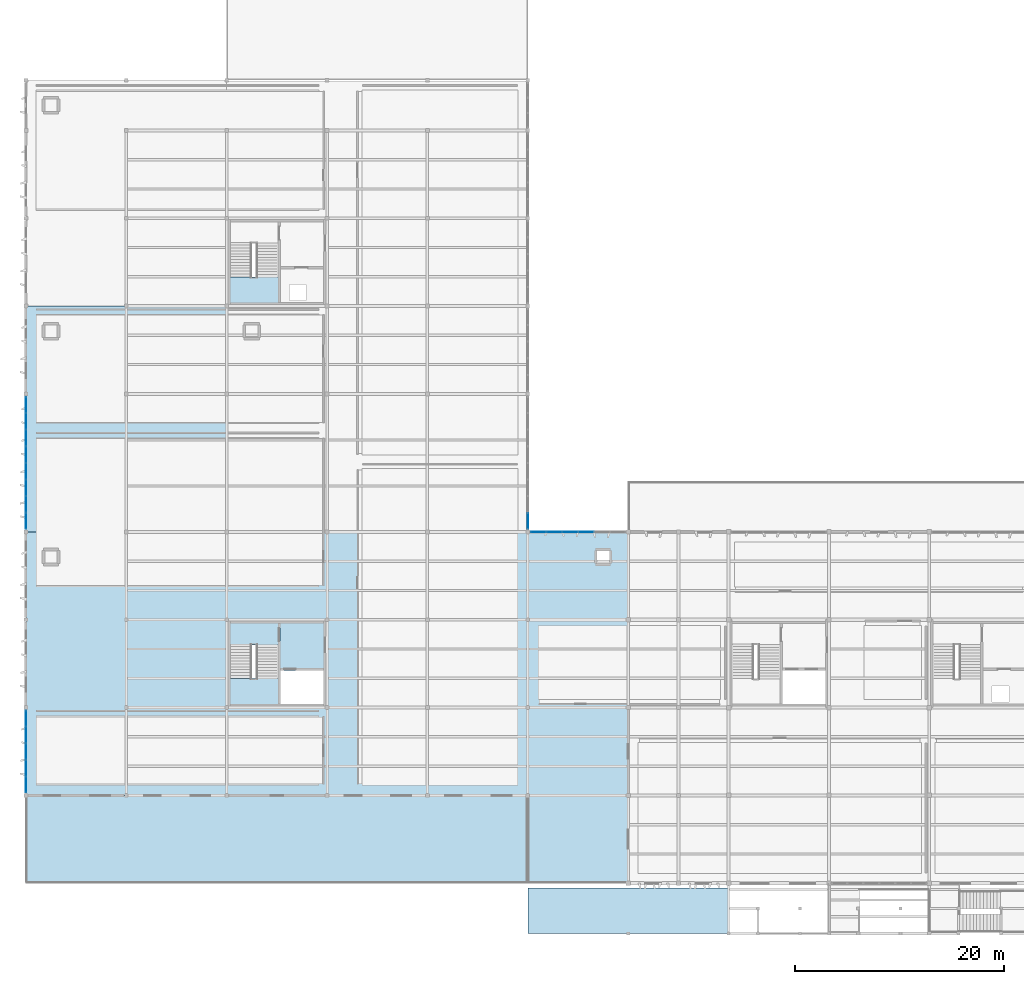
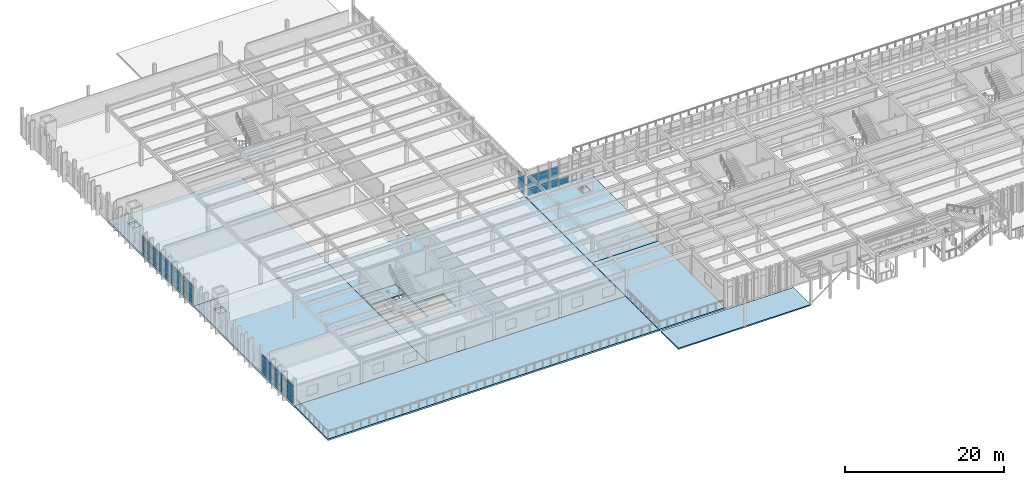
# One storey, part 29 of 61: 52 plates, 10 slabs, 6 elements without a shape of their own.
"""IFC4 building model written with IfcOpenShell, lengths in metres."""

from ifc_helpers import new_model, si_unit, direction, frame, origin, origin_2d, place, context, subcontext, project, spatial, polyline, rectangle, outline, extrude, material, layer, layer_set, type_object, element, aggregate, save


model = new_model("IFC4")

# Units and contexts
model_context = context("Model", 3, precision=1e-05, world=origin(), true_north=direction((0.0, 1.0)))
body_context = subcontext(model_context, "Body", "Model", "MODEL_VIEW")
ifc_project = project(units=[si_unit("LENGTHUNIT", "METRE"), si_unit("AREAUNIT", "SQUARE_METRE"), si_unit("VOLUMEUNIT", "CUBIC_METRE"), si_unit("PLANEANGLEUNIT", "RADIAN"), si_unit("MASSUNIT", "GRAM", prefix="KILO")], contexts=[model_context])

# Site, building, storey
site_placement = place(None, origin())
site = spatial("IfcSite", under=ifc_project, at=site_placement, CompositionType="ELEMENT")
building_placement = place(site_placement, origin())
building = spatial("IfcBuilding", under=site, at=building_placement, Name="Kolvemor Railside Polytechnic", CompositionType="ELEMENT")
storey_placement = place(building_placement, frame((0.0, 0.0, 10.199951171875)))
storey = spatial("IfcBuildingStorey", under=building, at=storey_placement, Name="L02", CompositionType="ELEMENT", Elevation=10.199951171875)

# Curtain wall, plates
ifc_material_1 = material(Name="Anodised marine aluminium and laminated low-E glass", Category="aluminium")
ifc_layer_1 = layer(ifc_material_1, 0.179931640625, Name="CW-UNIT-STD")
ifc_layer_set_1 = layer_set([ifc_layer_1], Name="Anodised marine aluminium and laminated low-E glass")
curtain_wall_type = type_object("IfcCurtainWallType", Name="CW-UNIT-STD", PredefinedType="USERDEFINED", material=ifc_layer_set_1)
curtain_wall_1_placement = place(storey_placement, origin())
curtain_wall_1 = element("IfcCurtainWall", 1, at=curtain_wall_1_placement, inside=storey, type_object=curtain_wall_type, Name="Curtain Wall L02-048", ObjectType="UNITISED CURTAIN WALL", PredefinedType="USERDEFINED")
ifc_material_2 = material(Name="Hurricane-laminated solar-control low-E glass", Category="glass")
ifc_layer_2 = layer(ifc_material_2, 0.02587890625, Name="CWP-GLZ-03")
ifc_layer_set_2 = layer_set([ifc_layer_2], Name="Hurricane-laminated solar-control low-E glass")
plate_type_1 = type_object("IfcPlateType", Name="CWP-GLZ-03", PredefinedType="CURTAIN_PANEL", material=ifc_layer_set_2)
plate_1_placement = place(storey_placement, frame((0.0, 20.5517578125, 0.06494140625), z_axis=(0.0, 0.0, 1.0), x_axis=(0.0, -1.0, 0.0)))
plate_1 = element("IfcPlate", 2, at=plate_1_placement, type_object=plate_type_1, Name="CW-STD panel 1.1", PredefinedType="CURTAIN_PANEL", context=body_context, shape_type="SweptSolid", body=[
    extrude(rectangle(XDim=1.486572265625, YDim=0.02587890625, at=origin_2d()), origin(), (0.0, 0.0, 1.0), 0.802490234375),
])
plate_2_placement = place(storey_placement, frame((0.0, 20.5517578125, 0.9326171875), z_axis=(0.0, 0.0, 1.0), x_axis=(0.0, -1.0, 0.0)))
plate_2 = element("IfcPlate", 3, at=plate_2_placement, type_object=plate_type_1, Name="CW-STD panel 1.2", PredefinedType="CURTAIN_PANEL", context=body_context, shape_type="SweptSolid", body=[
    extrude(rectangle(XDim=1.486572265625, YDim=0.02587890625, at=origin_2d()), origin(), (0.0, 0.0, 1.0), 1.534912109375),
])
plate_3_placement = place(storey_placement, frame((0.0, 20.5517578125, 2.53271484375), z_axis=(0.0, 0.0, 1.0), x_axis=(0.0, -1.0, 0.0)))
plate_3 = element("IfcPlate", 4, at=plate_3_placement, type_object=plate_type_1, Name="CW-STD panel 1.3", PredefinedType="CURTAIN_PANEL", context=body_context, shape_type="SweptSolid", body=[
    extrude(rectangle(XDim=1.486572265625, YDim=0.02587890625, at=origin_2d()), origin(), (0.0, 0.0, 1.0), 0.452392578125),
])
plate_4_placement = place(storey_placement, frame((0.0, 18.98388671875, 0.06494140625), z_axis=(0.0, 0.0, 1.0), x_axis=(0.0, -1.0, 0.0)))
plate_4 = element("IfcPlate", 5, at=plate_4_placement, type_object=plate_type_1, Name="CW-STD panel 2.1", PredefinedType="CURTAIN_PANEL", context=body_context, shape_type="SweptSolid", body=[
    extrude(rectangle(XDim=1.51904296875, YDim=0.02587890625, at=origin_2d()), origin(), (0.0, 0.0, 1.0), 0.802490234375),
])
plate_5_placement = place(storey_placement, frame((0.0, 18.98388671875, 0.9326171875), z_axis=(0.0, 0.0, 1.0), x_axis=(0.0, -1.0, 0.0)))
plate_5 = element("IfcPlate", 6, at=plate_5_placement, type_object=plate_type_1, Name="CW-STD panel 2.2", PredefinedType="CURTAIN_PANEL", context=body_context, shape_type="SweptSolid", body=[
    extrude(rectangle(XDim=1.51904296875, YDim=0.02587890625, at=origin_2d()), origin(), (0.0, 0.0, 1.0), 1.534912109375),
])
plate_6_placement = place(storey_placement, frame((0.0, 18.98388671875, 2.53271484375), z_axis=(0.0, 0.0, 1.0), x_axis=(0.0, -1.0, 0.0)))
plate_6 = element("IfcPlate", 7, at=plate_6_placement, type_object=plate_type_1, Name="CW-STD panel 2.3", PredefinedType="CURTAIN_PANEL", context=body_context, shape_type="SweptSolid", body=[
    extrude(rectangle(XDim=1.51904296875, YDim=0.02587890625, at=origin_2d()), origin(), (0.0, 0.0, 1.0), 0.452392578125),
])
plate_7_placement = place(storey_placement, frame((0.0, 17.39990234375, 0.06494140625), z_axis=(0.0, 0.0, 1.0), x_axis=(0.0, -1.0, 0.0)))
plate_7 = element("IfcPlate", 8, at=plate_7_placement, type_object=plate_type_1, Name="CW-STD panel 3.1", PredefinedType="CURTAIN_PANEL", context=body_context, shape_type="SweptSolid", body=[
    extrude(rectangle(XDim=1.51904296875, YDim=0.02587890625, at=origin_2d()), origin(), (0.0, 0.0, 1.0), 0.802490234375),
])
plate_8_placement = place(storey_placement, frame((0.0, 17.39990234375, 0.9326171875), z_axis=(0.0, 0.0, 1.0), x_axis=(0.0, -1.0, 0.0)))
plate_8 = element("IfcPlate", 9, at=plate_8_placement, type_object=plate_type_1, Name="CW-STD panel 3.2", PredefinedType="CURTAIN_PANEL", context=body_context, shape_type="SweptSolid", body=[
    extrude(rectangle(XDim=1.51904296875, YDim=0.02587890625, at=origin_2d()), origin(), (0.0, 0.0, 1.0), 1.534912109375),
])
plate_9_placement = place(storey_placement, frame((0.0, 17.39990234375, 2.53271484375), z_axis=(0.0, 0.0, 1.0), x_axis=(0.0, -1.0, 0.0)))
plate_9 = element("IfcPlate", 10, at=plate_9_placement, type_object=plate_type_1, Name="CW-STD panel 3.3", PredefinedType="CURTAIN_PANEL", context=body_context, shape_type="SweptSolid", body=[
    extrude(rectangle(XDim=1.51904296875, YDim=0.02587890625, at=origin_2d()), origin(), (0.0, 0.0, 1.0), 0.452392578125),
])
plate_10_placement = place(storey_placement, frame((0.0, 15.81591796875, 0.06494140625), z_axis=(0.0, 0.0, 1.0), x_axis=(0.0, -1.0, 0.0)))
plate_10 = element("IfcPlate", 11, at=plate_10_placement, type_object=plate_type_1, Name="CW-STD panel 4.1", PredefinedType="CURTAIN_PANEL", context=body_context, shape_type="SweptSolid", body=[
    extrude(rectangle(XDim=1.51904296875, YDim=0.02587890625, at=origin_2d()), origin(), (0.0, 0.0, 1.0), 0.802490234375),
])
plate_11_placement = place(storey_placement, frame((0.0, 15.81591796875, 0.9326171875), z_axis=(0.0, 0.0, 1.0), x_axis=(0.0, -1.0, 0.0)))
plate_11 = element("IfcPlate", 12, at=plate_11_placement, type_object=plate_type_1, Name="CW-STD panel 4.2", PredefinedType="CURTAIN_PANEL", context=body_context, shape_type="SweptSolid", body=[
    extrude(rectangle(XDim=1.51904296875, YDim=0.02587890625, at=origin_2d()), origin(), (0.0, 0.0, 1.0), 1.534912109375),
])
plate_12_placement = place(storey_placement, frame((0.0, 15.81591796875, 2.53271484375), z_axis=(0.0, 0.0, 1.0), x_axis=(0.0, -1.0, 0.0)))
plate_12 = element("IfcPlate", 13, at=plate_12_placement, type_object=plate_type_1, Name="CW-STD panel 4.3", PredefinedType="CURTAIN_PANEL", context=body_context, shape_type="SweptSolid", body=[
    extrude(rectangle(XDim=1.51904296875, YDim=0.02587890625, at=origin_2d()), origin(), (0.0, 0.0, 1.0), 0.452392578125),
])
plate_13_placement = place(storey_placement, frame((0.0, 14.248291015625, 0.06494140625), z_axis=(0.0, 0.0, 1.0), x_axis=(0.0, -1.0, 0.0)))
plate_13 = element("IfcPlate", 14, at=plate_13_placement, type_object=plate_type_1, Name="CW-STD panel 5.1", PredefinedType="CURTAIN_PANEL", context=body_context, shape_type="SweptSolid", body=[
    extrude(rectangle(XDim=1.486572265625, YDim=0.02587890625, at=origin_2d()), origin(), (0.0, 0.0, 1.0), 0.802490234375),
])
plate_14_placement = place(storey_placement, frame((0.0, 14.248291015625, 0.9326171875), z_axis=(0.0, 0.0, 1.0), x_axis=(0.0, -1.0, 0.0)))
plate_14 = element("IfcPlate", 15, at=plate_14_placement, type_object=plate_type_1, Name="CW-STD panel 5.2", PredefinedType="CURTAIN_PANEL", context=body_context, shape_type="SweptSolid", body=[
    extrude(rectangle(XDim=1.486572265625, YDim=0.02587890625, at=origin_2d()), origin(), (0.0, 0.0, 1.0), 1.534912109375),
])
plate_15_placement = place(storey_placement, frame((0.0, 14.248291015625, 2.53271484375), z_axis=(0.0, 0.0, 1.0), x_axis=(0.0, -1.0, 0.0)))
plate_15 = element("IfcPlate", 16, at=plate_15_placement, type_object=plate_type_1, Name="CW-STD panel 5.3", PredefinedType="CURTAIN_PANEL", context=body_context, shape_type="SweptSolid", body=[
    extrude(rectangle(XDim=1.486572265625, YDim=0.02587890625, at=origin_2d()), origin(), (0.0, 0.0, 1.0), 0.452392578125),
])
aggregate(curtain_wall_1, [plate_1, plate_2, plate_3, plate_4, plate_5, plate_6, plate_7, plate_8, plate_9, plate_10, plate_11, plate_12, plate_13, plate_14, plate_15])

curtain_wall_2_placement = place(storey_placement, origin())
curtain_wall_2 = element("IfcCurtainWall", 17, at=curtain_wall_2_placement, inside=storey, type_object=curtain_wall_type, Name="Curtain Wall L02-120", ObjectType="UNITISED CURTAIN WALL", PredefinedType="USERDEFINED")
ifc_material_3 = material(Name="Hurricane-laminated solar-control low-E glass", Category="glass")
ifc_layer_3 = layer(ifc_material_3, 0.028076171875, Name="CWP-GLZ-04")
ifc_layer_set_3 = layer_set([ifc_layer_3], Name="Hurricane-laminated solar-control low-E glass")
plate_type_2 = type_object("IfcPlateType", Name="CWP-GLZ-04", PredefinedType="CURTAIN_PANEL", material=ifc_layer_set_3)
plate_16_placement = place(storey_placement, frame((53.56005859375, 38.39990234375, 0.06494140625), z_axis=(0.0, 0.0, 1.0), x_axis=(-1.0, 0.0, 0.0)))
plate_16 = element("IfcPlate", 18, at=plate_16_placement, type_object=plate_type_2, Name="CW-STD panel 3.1", PredefinedType="CURTAIN_PANEL", context=body_context, shape_type="SweptSolid", body=[
    extrude(rectangle(XDim=1.455078125, YDim=0.028076171875, at=origin_2d()), origin(), (0.0, 0.0, 1.0), 0.802490234375),
])
plate_17_placement = place(storey_placement, frame((52.0400390625, 38.39990234375, 0.06494140625), z_axis=(0.0, 0.0, 1.0), x_axis=(-1.0, 0.0, 0.0)))
plate_17 = element("IfcPlate", 19, at=plate_17_placement, type_object=plate_type_2, Name="CW-STD panel 4.1", PredefinedType="CURTAIN_PANEL", context=body_context, shape_type="SweptSolid", body=[
    extrude(rectangle(XDim=1.455078125, YDim=0.028076171875, at=origin_2d()), origin(), (0.0, 0.0, 1.0), 0.802490234375),
])
plate_18_placement = place(storey_placement, frame((52.0400390625, 38.39990234375, 0.9326171875), z_axis=(0.0, 0.0, 1.0), x_axis=(-1.0, 0.0, 0.0)))
plate_18 = element("IfcPlate", 20, at=plate_18_placement, type_object=plate_type_2, Name="CW-STD panel 4.2", PredefinedType="CURTAIN_PANEL", context=body_context, shape_type="SweptSolid", body=[
    extrude(rectangle(XDim=1.455078125, YDim=0.028076171875, at=origin_2d()), origin(), (0.0, 0.0, 1.0), 1.534912109375),
])
plate_19_placement = place(storey_placement, frame((52.0400390625, 38.39990234375, 2.53271484375), z_axis=(0.0, 0.0, 1.0), x_axis=(-1.0, 0.0, 0.0)))
plate_19 = element("IfcPlate", 21, at=plate_19_placement, type_object=plate_type_2, Name="CW-STD panel 4.3", PredefinedType="CURTAIN_PANEL", context=body_context, shape_type="SweptSolid", body=[
    extrude(rectangle(XDim=1.455078125, YDim=0.028076171875, at=origin_2d()), origin(), (0.0, 0.0, 1.0), 0.452392578125),
])
plate_20_placement = place(storey_placement, frame((50.52001953125, 38.39990234375, 0.06494140625), z_axis=(0.0, 0.0, 1.0), x_axis=(-1.0, 0.0, 0.0)))
plate_20 = element("IfcPlate", 22, at=plate_20_placement, type_object=plate_type_2, Name="CW-STD panel 5.1", PredefinedType="CURTAIN_PANEL", context=body_context, shape_type="SweptSolid", body=[
    extrude(rectangle(XDim=1.455078125, YDim=0.028076171875, at=origin_2d()), origin(), (0.0, 0.0, 1.0), 0.802490234375),
])
plate_21_placement = place(storey_placement, frame((50.52001953125, 38.39990234375, 0.9326171875), z_axis=(0.0, 0.0, 1.0), x_axis=(-1.0, 0.0, 0.0)))
plate_21 = element("IfcPlate", 23, at=plate_21_placement, type_object=plate_type_2, Name="CW-STD panel 5.2", PredefinedType="CURTAIN_PANEL", context=body_context, shape_type="SweptSolid", body=[
    extrude(rectangle(XDim=1.455078125, YDim=0.028076171875, at=origin_2d()), origin(), (0.0, 0.0, 1.0), 1.534912109375),
])
plate_22_placement = place(storey_placement, frame((50.52001953125, 38.39990234375, 2.53271484375), z_axis=(0.0, 0.0, 1.0), x_axis=(-1.0, 0.0, 0.0)))
plate_22 = element("IfcPlate", 24, at=plate_22_placement, type_object=plate_type_2, Name="CW-STD panel 5.3", PredefinedType="CURTAIN_PANEL", context=body_context, shape_type="SweptSolid", body=[
    extrude(rectangle(XDim=1.455078125, YDim=0.028076171875, at=origin_2d()), origin(), (0.0, 0.0, 1.0), 0.452392578125),
])
plate_23_placement = place(storey_placement, frame((49.016357421875, 38.39990234375, 0.06494140625), z_axis=(0.0, 0.0, 1.0), x_axis=(-1.0, 0.0, 0.0)))
plate_23 = element("IfcPlate", 25, at=plate_23_placement, type_object=plate_type_2, Name="CW-STD panel 6.1", PredefinedType="CURTAIN_PANEL", context=body_context, shape_type="SweptSolid", body=[
    extrude(rectangle(XDim=1.422607421875, YDim=0.028076171875, at=origin_2d()), origin(), (0.0, 0.0, 1.0), 0.802490234375),
])
plate_24_placement = place(storey_placement, frame((49.016357421875, 38.39990234375, 0.9326171875), z_axis=(0.0, 0.0, 1.0), x_axis=(-1.0, 0.0, 0.0)))
plate_24 = element("IfcPlate", 26, at=plate_24_placement, type_object=plate_type_2, Name="CW-STD panel 6.2", PredefinedType="CURTAIN_PANEL", context=body_context, shape_type="SweptSolid", body=[
    extrude(rectangle(XDim=1.422607421875, YDim=0.028076171875, at=origin_2d()), origin(), (0.0, 0.0, 1.0), 1.534912109375),
])
plate_25_placement = place(storey_placement, frame((49.016357421875, 38.39990234375, 2.53271484375), z_axis=(0.0, 0.0, 1.0), x_axis=(-1.0, 0.0, 0.0)))
plate_25 = element("IfcPlate", 27, at=plate_25_placement, type_object=plate_type_2, Name="CW-STD panel 6.3", PredefinedType="CURTAIN_PANEL", context=body_context, shape_type="SweptSolid", body=[
    extrude(rectangle(XDim=1.422607421875, YDim=0.028076171875, at=origin_2d()), origin(), (0.0, 0.0, 1.0), 0.452392578125),
])
aggregate(curtain_wall_2, [plate_16, plate_17, plate_18, plate_19, plate_20, plate_21, plate_22, plate_23, plate_24, plate_25])

curtain_wall_3_placement = place(storey_placement, origin())
curtain_wall_3 = element("IfcCurtainWall", 28, at=curtain_wall_3_placement, inside=storey, type_object=curtain_wall_type, Name="Curtain Wall L02-054", ObjectType="UNITISED CURTAIN WALL", PredefinedType="USERDEFINED")
ifc_material_4 = material(Name="Hurricane-laminated solar-control low-E glass", Category="glass")
ifc_layer_4 = layer(ifc_material_4, 0.031982421875, Name="CWP-GLZ-06")
ifc_layer_set_4 = layer_set([ifc_layer_4], Name="Hurricane-laminated solar-control low-E glass")
plate_type_3 = type_object("IfcPlateType", Name="CWP-GLZ-06", PredefinedType="CURTAIN_PANEL", material=ifc_layer_set_4)
plate_26_placement = place(storey_placement, frame((0.0, 50.548828125, 0.06494140625), z_axis=(0.0, 0.0, 1.0), x_axis=(0.0, -1.0, 0.0)))
plate_26 = element("IfcPlate", 29, at=plate_26_placement, type_object=plate_type_3, Name="CW-STD panel 1.1", PredefinedType="CURTAIN_PANEL", context=body_context, shape_type="SweptSolid", body=[
    extrude(rectangle(XDim=1.492431640625, YDim=0.031982421875, at=origin_2d()), origin(), (0.0, 0.0, 1.0), 0.802490234375),
])
plate_27_placement = place(storey_placement, frame((0.0, 50.548828125, 0.9326171875), z_axis=(0.0, 0.0, 1.0), x_axis=(0.0, -1.0, 0.0)))
plate_27 = element("IfcPlate", 30, at=plate_27_placement, type_object=plate_type_3, Name="CW-STD panel 1.2", PredefinedType="CURTAIN_PANEL", context=body_context, shape_type="SweptSolid", body=[
    extrude(rectangle(XDim=1.492431640625, YDim=0.031982421875, at=origin_2d()), origin(), (0.0, 0.0, 1.0), 1.534912109375),
])
plate_28_placement = place(storey_placement, frame((0.0, 50.548828125, 2.53271484375), z_axis=(0.0, 0.0, 1.0), x_axis=(0.0, -1.0, 0.0)))
plate_28 = element("IfcPlate", 31, at=plate_28_placement, type_object=plate_type_3, Name="CW-STD panel 1.3", PredefinedType="CURTAIN_PANEL", context=body_context, shape_type="SweptSolid", body=[
    extrude(rectangle(XDim=1.492431640625, YDim=0.031982421875, at=origin_2d()), origin(), (0.0, 0.0, 1.0), 0.452392578125),
])
plate_29_placement = place(storey_placement, frame((0.0, 48.97509765625, 0.06494140625), z_axis=(0.0, 0.0, 1.0), x_axis=(0.0, -1.0, 0.0)))
plate_29 = element("IfcPlate", 32, at=plate_29_placement, type_object=plate_type_3, Name="CW-STD panel 2.1", PredefinedType="CURTAIN_PANEL", context=body_context, shape_type="SweptSolid", body=[
    extrude(rectangle(XDim=1.52490234375, YDim=0.031982421875, at=origin_2d()), origin(), (0.0, 0.0, 1.0), 0.802490234375),
])
plate_30_placement = place(storey_placement, frame((0.0, 48.97509765625, 0.9326171875), z_axis=(0.0, 0.0, 1.0), x_axis=(0.0, -1.0, 0.0)))
plate_30 = element("IfcPlate", 33, at=plate_30_placement, type_object=plate_type_3, Name="CW-STD panel 2.2", PredefinedType="CURTAIN_PANEL", context=body_context, shape_type="SweptSolid", body=[
    extrude(rectangle(XDim=1.52490234375, YDim=0.031982421875, at=origin_2d()), origin(), (0.0, 0.0, 1.0), 1.534912109375),
])
plate_31_placement = place(storey_placement, frame((0.0, 48.97509765625, 2.53271484375), z_axis=(0.0, 0.0, 1.0), x_axis=(0.0, -1.0, 0.0)))
plate_31 = element("IfcPlate", 34, at=plate_31_placement, type_object=plate_type_3, Name="CW-STD panel 2.3", PredefinedType="CURTAIN_PANEL", context=body_context, shape_type="SweptSolid", body=[
    extrude(rectangle(XDim=1.52490234375, YDim=0.031982421875, at=origin_2d()), origin(), (0.0, 0.0, 1.0), 0.452392578125),
])
plate_32_placement = place(storey_placement, frame((0.0, 47.385009765625, 0.06494140625), z_axis=(0.0, 0.0, 1.0), x_axis=(0.0, -1.0, 0.0)))
plate_32 = element("IfcPlate", 35, at=plate_32_placement, type_object=plate_type_3, Name="CW-STD panel 3.1", PredefinedType="CURTAIN_PANEL", context=body_context, shape_type="SweptSolid", body=[
    extrude(rectangle(XDim=1.52490234375, YDim=0.031982421875, at=origin_2d()), origin(), (0.0, 0.0, 1.0), 0.802490234375),
])
plate_33_placement = place(storey_placement, frame((0.0, 47.385009765625, 0.9326171875), z_axis=(0.0, 0.0, 1.0), x_axis=(0.0, -1.0, 0.0)))
plate_33 = element("IfcPlate", 36, at=plate_33_placement, type_object=plate_type_3, Name="CW-STD panel 3.2", PredefinedType="CURTAIN_PANEL", context=body_context, shape_type="SweptSolid", body=[
    extrude(rectangle(XDim=1.52490234375, YDim=0.031982421875, at=origin_2d()), origin(), (0.0, 0.0, 1.0), 1.534912109375),
])
plate_34_placement = place(storey_placement, frame((0.0, 47.385009765625, 2.53271484375), z_axis=(0.0, 0.0, 1.0), x_axis=(0.0, -1.0, 0.0)))
plate_34 = element("IfcPlate", 37, at=plate_34_placement, type_object=plate_type_3, Name="CW-STD panel 3.3", PredefinedType="CURTAIN_PANEL", context=body_context, shape_type="SweptSolid", body=[
    extrude(rectangle(XDim=1.52490234375, YDim=0.031982421875, at=origin_2d()), origin(), (0.0, 0.0, 1.0), 0.452392578125),
])
plate_35_placement = place(storey_placement, frame((0.0, 45.794921875, 0.06494140625), z_axis=(0.0, 0.0, 1.0), x_axis=(0.0, -1.0, 0.0)))
plate_35 = element("IfcPlate", 38, at=plate_35_placement, type_object=plate_type_3, Name="CW-STD panel 4.1", PredefinedType="CURTAIN_PANEL", context=body_context, shape_type="SweptSolid", body=[
    extrude(rectangle(XDim=1.52490234375, YDim=0.031982421875, at=origin_2d()), origin(), (0.0, 0.0, 1.0), 0.802490234375),
])
plate_36_placement = place(storey_placement, frame((0.0, 45.794921875, 0.9326171875), z_axis=(0.0, 0.0, 1.0), x_axis=(0.0, -1.0, 0.0)))
plate_36 = element("IfcPlate", 39, at=plate_36_placement, type_object=plate_type_3, Name="CW-STD panel 4.2", PredefinedType="CURTAIN_PANEL", context=body_context, shape_type="SweptSolid", body=[
    extrude(rectangle(XDim=1.52490234375, YDim=0.031982421875, at=origin_2d()), origin(), (0.0, 0.0, 1.0), 1.534912109375),
])
plate_37_placement = place(storey_placement, frame((0.0, 45.794921875, 2.53271484375), z_axis=(0.0, 0.0, 1.0), x_axis=(0.0, -1.0, 0.0)))
plate_37 = element("IfcPlate", 40, at=plate_37_placement, type_object=plate_type_3, Name="CW-STD panel 4.3", PredefinedType="CURTAIN_PANEL", context=body_context, shape_type="SweptSolid", body=[
    extrude(rectangle(XDim=1.52490234375, YDim=0.031982421875, at=origin_2d()), origin(), (0.0, 0.0, 1.0), 0.452392578125),
])
plate_38_placement = place(storey_placement, frame((0.0, 44.205078125, 0.06494140625), z_axis=(0.0, 0.0, 1.0), x_axis=(0.0, -1.0, 0.0)))
plate_38 = element("IfcPlate", 41, at=plate_38_placement, type_object=plate_type_3, Name="CW-STD panel 5.1", PredefinedType="CURTAIN_PANEL", context=body_context, shape_type="SweptSolid", body=[
    extrude(rectangle(XDim=1.52490234375, YDim=0.031982421875, at=origin_2d()), origin(), (0.0, 0.0, 1.0), 0.802490234375),
])
plate_39_placement = place(storey_placement, frame((0.0, 44.205078125, 0.9326171875), z_axis=(0.0, 0.0, 1.0), x_axis=(0.0, -1.0, 0.0)))
plate_39 = element("IfcPlate", 42, at=plate_39_placement, type_object=plate_type_3, Name="CW-STD panel 5.2", PredefinedType="CURTAIN_PANEL", context=body_context, shape_type="SweptSolid", body=[
    extrude(rectangle(XDim=1.52490234375, YDim=0.031982421875, at=origin_2d()), origin(), (0.0, 0.0, 1.0), 1.534912109375),
])
plate_40_placement = place(storey_placement, frame((0.0, 44.205078125, 2.53271484375), z_axis=(0.0, 0.0, 1.0), x_axis=(0.0, -1.0, 0.0)))
plate_40 = element("IfcPlate", 43, at=plate_40_placement, type_object=plate_type_3, Name="CW-STD panel 5.3", PredefinedType="CURTAIN_PANEL", context=body_context, shape_type="SweptSolid", body=[
    extrude(rectangle(XDim=1.52490234375, YDim=0.031982421875, at=origin_2d()), origin(), (0.0, 0.0, 1.0), 0.452392578125),
])
plate_41_placement = place(storey_placement, frame((0.0, 42.614990234375, 0.06494140625), z_axis=(0.0, 0.0, 1.0), x_axis=(0.0, -1.0, 0.0)))
plate_41 = element("IfcPlate", 44, at=plate_41_placement, type_object=plate_type_3, Name="CW-STD panel 6.1", PredefinedType="CURTAIN_PANEL", context=body_context, shape_type="SweptSolid", body=[
    extrude(rectangle(XDim=1.52490234375, YDim=0.031982421875, at=origin_2d()), origin(), (0.0, 0.0, 1.0), 0.802490234375),
])
plate_42_placement = place(storey_placement, frame((0.0, 42.614990234375, 0.9326171875), z_axis=(0.0, 0.0, 1.0), x_axis=(0.0, -1.0, 0.0)))
plate_42 = element("IfcPlate", 45, at=plate_42_placement, type_object=plate_type_3, Name="CW-STD panel 6.2", PredefinedType="CURTAIN_PANEL", context=body_context, shape_type="SweptSolid", body=[
    extrude(rectangle(XDim=1.52490234375, YDim=0.031982421875, at=origin_2d()), origin(), (0.0, 0.0, 1.0), 1.534912109375),
])
plate_43_placement = place(storey_placement, frame((0.0, 42.614990234375, 2.53271484375), z_axis=(0.0, 0.0, 1.0), x_axis=(0.0, -1.0, 0.0)))
plate_43 = element("IfcPlate", 46, at=plate_43_placement, type_object=plate_type_3, Name="CW-STD panel 6.3", PredefinedType="CURTAIN_PANEL", context=body_context, shape_type="SweptSolid", body=[
    extrude(rectangle(XDim=1.52490234375, YDim=0.031982421875, at=origin_2d()), origin(), (0.0, 0.0, 1.0), 0.452392578125),
])
plate_44_placement = place(storey_placement, frame((0.0, 41.02490234375, 0.06494140625), z_axis=(0.0, 0.0, 1.0), x_axis=(0.0, -1.0, 0.0)))
plate_44 = element("IfcPlate", 47, at=plate_44_placement, type_object=plate_type_3, Name="CW-STD panel 7.1", PredefinedType="CURTAIN_PANEL", context=body_context, shape_type="SweptSolid", body=[
    extrude(rectangle(XDim=1.52490234375, YDim=0.031982421875, at=origin_2d()), origin(), (0.0, 0.0, 1.0), 0.802490234375),
])
plate_45_placement = place(storey_placement, frame((0.0, 41.02490234375, 0.9326171875), z_axis=(0.0, 0.0, 1.0), x_axis=(0.0, -1.0, 0.0)))
plate_45 = element("IfcPlate", 48, at=plate_45_placement, type_object=plate_type_3, Name="CW-STD panel 7.2", PredefinedType="CURTAIN_PANEL", context=body_context, shape_type="SweptSolid", body=[
    extrude(rectangle(XDim=1.52490234375, YDim=0.031982421875, at=origin_2d()), origin(), (0.0, 0.0, 1.0), 1.534912109375),
])
plate_46_placement = place(storey_placement, frame((0.0, 41.02490234375, 2.53271484375), z_axis=(0.0, 0.0, 1.0), x_axis=(0.0, -1.0, 0.0)))
plate_46 = element("IfcPlate", 49, at=plate_46_placement, type_object=plate_type_3, Name="CW-STD panel 7.3", PredefinedType="CURTAIN_PANEL", context=body_context, shape_type="SweptSolid", body=[
    extrude(rectangle(XDim=1.52490234375, YDim=0.031982421875, at=origin_2d()), origin(), (0.0, 0.0, 1.0), 0.452392578125),
])
plate_47_placement = place(storey_placement, frame((0.0, 39.451171875, 0.06494140625), z_axis=(0.0, 0.0, 1.0), x_axis=(0.0, -1.0, 0.0)))
plate_47 = element("IfcPlate", 50, at=plate_47_placement, type_object=plate_type_3, Name="CW-STD panel 8.1", PredefinedType="CURTAIN_PANEL", context=body_context, shape_type="SweptSolid", body=[
    extrude(rectangle(XDim=1.492431640625, YDim=0.031982421875, at=origin_2d()), origin(), (0.0, 0.0, 1.0), 0.802490234375),
])
plate_48_placement = place(storey_placement, frame((0.0, 39.451171875, 0.9326171875), z_axis=(0.0, 0.0, 1.0), x_axis=(0.0, -1.0, 0.0)))
plate_48 = element("IfcPlate", 51, at=plate_48_placement, type_object=plate_type_3, Name="CW-STD panel 8.2", PredefinedType="CURTAIN_PANEL", context=body_context, shape_type="SweptSolid", body=[
    extrude(rectangle(XDim=1.492431640625, YDim=0.031982421875, at=origin_2d()), origin(), (0.0, 0.0, 1.0), 1.534912109375),
])
plate_49_placement = place(storey_placement, frame((0.0, 39.451171875, 2.53271484375), z_axis=(0.0, 0.0, 1.0), x_axis=(0.0, -1.0, 0.0)))
plate_49 = element("IfcPlate", 52, at=plate_49_placement, type_object=plate_type_3, Name="CW-STD panel 8.3", PredefinedType="CURTAIN_PANEL", context=body_context, shape_type="SweptSolid", body=[
    extrude(rectangle(XDim=1.492431640625, YDim=0.031982421875, at=origin_2d()), origin(), (0.0, 0.0, 1.0), 0.452392578125),
])
aggregate(curtain_wall_3, [plate_26, plate_27, plate_28, plate_29, plate_30, plate_31, plate_32, plate_33, plate_34, plate_35, plate_36, plate_37, plate_38, plate_39, plate_40, plate_41, plate_42, plate_43, plate_44, plate_45, plate_46, plate_47, plate_48, plate_49])

curtain_wall_4_placement = place(storey_placement, origin())
curtain_wall_4 = element("IfcCurtainWall", 53, at=curtain_wall_4_placement, inside=storey, type_object=curtain_wall_type, Name="Curtain Wall L02-057", ObjectType="UNITISED CURTAIN WALL", PredefinedType="USERDEFINED")
ifc_material_5 = material(Name="Hurricane-laminated solar-control low-E glass", Category="glass")
ifc_layer_5 = layer(ifc_material_5, 0.035888671875, Name="CWP-GLZ-08")
ifc_layer_set_5 = layer_set([ifc_layer_5], Name="Hurricane-laminated solar-control low-E glass")
plate_type_4 = type_object("IfcPlateType", Name="CWP-GLZ-08", PredefinedType="CURTAIN_PANEL", material=ifc_layer_set_5)
plate_50_placement = place(storey_placement, frame((48.0, 39.451171875, 0.06494140625), z_axis=(0.0, 0.0, 1.0), x_axis=(0.0, 1.0, 0.0)))
plate_50 = element("IfcPlate", 54, at=plate_50_placement, type_object=plate_type_4, Name="CW-STD panel 1.1", PredefinedType="CURTAIN_PANEL", context=body_context, shape_type="SweptSolid", body=[
    extrude(rectangle(XDim=1.492431640625, YDim=0.035888671875, at=origin_2d()), origin(), (0.0, 0.0, 1.0), 0.802490234375),
])
plate_51_placement = place(storey_placement, frame((48.0, 39.451171875, 0.9326171875), z_axis=(0.0, 0.0, 1.0), x_axis=(0.0, 1.0, 0.0)))
plate_51 = element("IfcPlate", 55, at=plate_51_placement, type_object=plate_type_4, Name="CW-STD panel 1.2", PredefinedType="CURTAIN_PANEL", context=body_context, shape_type="SweptSolid", body=[
    extrude(rectangle(XDim=1.492431640625, YDim=0.035888671875, at=origin_2d()), origin(), (0.0, 0.0, 1.0), 1.534912109375),
])
plate_52_placement = place(storey_placement, frame((48.0, 39.451171875, 2.53271484375), z_axis=(0.0, 0.0, 1.0), x_axis=(0.0, 1.0, 0.0)))
plate_52 = element("IfcPlate", 56, at=plate_52_placement, type_object=plate_type_4, Name="CW-STD panel 1.3", PredefinedType="CURTAIN_PANEL", context=body_context, shape_type="SweptSolid", body=[
    extrude(rectangle(XDim=1.492431640625, YDim=0.035888671875, at=origin_2d()), origin(), (0.0, 0.0, 1.0), 0.452392578125),
])
aggregate(curtain_wall_4, [plate_50, plate_51, plate_52])

# Slabs
ifc_material_6 = material(Name="Concrete C40/50", Category="concrete")
ifc_layer_6 = layer(ifc_material_6, 0.18994140625, Name="SLB-CAN-190")
ifc_layer_set_6 = layer_set([ifc_layer_6], Name="Concrete C40/50")
slab_type_1 = type_object("IfcSlabType", Name="SLB-CAN-190", PredefinedType="ROOF", material=ifc_layer_set_6)
slab_1_placement = place(storey_placement, frame((0.0, 0.0, -0.18994140625)))
element("IfcSlab", 57, at=slab_1_placement, inside=storey, type_object=slab_type_1, Name="South Arcade Upper Storm Canopy L02-73", PredefinedType="ROOF", context=body_context, shape_type="SweptSolid", body=[
    extrude(outline(polyline([(48.0, 0.0), (67.199951171875, 0.0), (67.199951171875, 4.35009765625), (48.0, 4.35009765625), (48.0, 0.0)])), origin(), (0.0, 0.0, 1.0), 0.18994140625),
])
ifc_material_7 = material(Name="Concrete C40/50", Category="concrete")
ifc_layer_7 = layer(ifc_material_7, 0.199951171875, Name="SLB-LND-200")
ifc_layer_set_7 = layer_set([ifc_layer_7], Name="Concrete C40/50")
slab_type_2 = type_object("IfcSlabType", Name="SLB-LND-200", PredefinedType="LANDING", material=ifc_layer_set_7)
slab_2_placement = place(storey_placement, frame((0.0, 0.0, -0.199951171875)))
element("IfcSlab", 58, at=slab_2_placement, inside=storey, type_object=slab_type_2, Name="ST-4 Floor Landing L02", PredefinedType="LANDING", context=body_context, shape_type="SweptSolid", body=[
    extrude(outline(polyline([(19.360107421875, 27.60009765625), (24.2900390625, 27.60009765625), (24.2900390625, 29.840087890625), (19.360107421875, 29.840087890625), (19.360107421875, 27.60009765625)])), origin(), (0.0, 0.0, 1.0), 0.199951171875),
])

# Stair, slab
ifc_material_8 = material(Name="Concrete C40/50", Category="concrete")
stair_type = type_object("IfcStairType", Name="STR-CORE-420", PredefinedType="HALF_TURN_STAIR", material=ifc_material_8)
stair_1_placement = place(storey_placement, origin())
stair_1 = element("IfcStair", 59, at=stair_1_placement, inside=storey, type_object=stair_type, Name="Core Stair ST-4 (L02 to L03)", PredefinedType="HALF_TURN_STAIR")
slab_3_placement = place(storey_placement, frame((0.0, 0.0, 1.900146484375)))
slab_3 = element("IfcSlab", 60, at=slab_3_placement, type_object=slab_type_2, Name="ST-4-L02 landing 1", PredefinedType="LANDING", context=body_context, shape_type="SweptSolid", body=[
    extrude(outline(polyline([(19.35009765625, 21.75), (24.300048828125, 21.75), (24.300048828125, 24.39990234375), (19.35009765625, 24.39990234375), (19.35009765625, 21.75)])), origin(), (0.0, 0.0, 1.0), 0.199951171875),
])
aggregate(stair_1, [slab_3])

stair_2_placement = place(storey_placement, origin())
stair_2 = element("IfcStair", 61, at=stair_2_placement, inside=storey, type_object=stair_type, Name="Core Stair ST-5 (L02 to L03)", PredefinedType="HALF_TURN_STAIR")
slab_4_placement = place(storey_placement, frame((0.0, 0.0, 1.900146484375)))
slab_4 = element("IfcSlab", 62, at=slab_4_placement, type_object=slab_type_2, Name="ST-5-L02 landing 1", PredefinedType="LANDING", context=body_context, shape_type="SweptSolid", body=[
    extrude(outline(polyline([(19.35009765625, 60.14990234375), (24.300048828125, 60.14990234375), (24.300048828125, 62.800048828125), (19.35009765625, 62.800048828125), (19.35009765625, 60.14990234375)])), origin(), (0.0, 0.0, 1.0), 0.199951171875),
])
aggregate(stair_2, [slab_4])

# Slabs
ifc_material_9 = material(Name="Concrete C40/50", Category="concrete")
ifc_layer_8 = layer(ifc_material_9, 0.320068359375, Name="SLB-POD-SEP")
ifc_layer_set_8 = layer_set([ifc_layer_8], Name="Concrete C40/50")
slab_type_3 = type_object("IfcSlabType", Name="SLB-POD-SEP", PredefinedType="FLOOR", material=ifc_layer_set_8)
slab_5_placement = place(storey_placement, frame((0.0, 0.0, -0.320068359375)))
element("IfcSlab", 63, at=slab_5_placement, inside=storey, type_object=slab_type_3, Name="V3 Seminar L02 Slab L02-63", PredefinedType="FLOOR", context=body_context, shape_type="SweptSolid", body=[
    extrude(outline(polyline([(0.0, 13.199951171875), (19.199951171875, 13.199951171875), (19.199951171875, 38.39990234375), (0.0, 38.39990234375), (0.0, 13.199951171875)]), holes=[polyline([(1.800048828125, 35.39990234375), (3.0, 35.39990234375), (3.0, 36.60009765625), (1.800048828125, 36.60009765625), (1.800048828125, 35.39990234375)])]), origin(), (0.0, 0.0, 1.0), 0.320068359375),
])
slab_6_placement = place(storey_placement, frame((0.0, 0.0, -0.320068359375)))
element("IfcSlab", 64, at=slab_6_placement, inside=storey, type_object=slab_type_3, Name="V3 Seminar L02 Slab L02-64", PredefinedType="FLOOR", context=body_context, shape_type="SweptSolid", body=[
    extrude(outline(polyline([(0.0, 38.39990234375), (19.199951171875, 38.39990234375), (19.199951171875, 60.0), (0.0, 60.0), (0.0, 38.39990234375)]), holes=[polyline([(1.800048828125, 57.0), (3.0, 57.0), (3.0, 58.199951171875), (1.800048828125, 58.199951171875), (1.800048828125, 57.0)])]), origin(), (0.0, 0.0, 1.0), 0.320068359375),
])
slab_7_placement = place(storey_placement, frame((0.0, 0.0, -0.320068359375)))
element("IfcSlab", 65, at=slab_7_placement, inside=storey, type_object=slab_type_3, Name="V3 Seminar L02 Slab L02-66", PredefinedType="FLOOR", context=body_context, shape_type="SweptSolid", body=[
    extrude(outline(polyline([(19.199951171875, 13.199951171875), (47.925048828125, 13.199951171875), (47.925048828125, 38.39990234375), (19.199951171875, 38.39990234375), (19.199951171875, 13.199951171875)]), holes=[polyline([(19.340087890625, 21.739990234375), (24.31005859375, 21.739990234375), (24.31005859375, 29.860107421875), (19.340087890625, 29.860107421875), (19.340087890625, 21.739990234375)]), polyline([(24.35009765625, 21.949951171875), (28.449951171875, 21.949951171875), (28.449951171875, 25.14990234375), (24.35009765625, 25.14990234375), (24.35009765625, 21.949951171875)])]), origin(), (0.0, 0.0, 1.0), 0.320068359375),
])
slab_8_placement = place(storey_placement, frame((0.0, 0.0, -0.320068359375)))
element("IfcSlab", 66, at=slab_8_placement, inside=storey, type_object=slab_type_3, Name="V2 Podium Separation Slab L02-69", PredefinedType="FLOOR", context=body_context, shape_type="SweptSolid", body=[
    extrude(outline(polyline([(48.0, 21.60009765625), (57.60009765625, 21.60009765625), (57.60009765625, 38.39990234375), (48.0, 38.39990234375), (48.0, 21.60009765625)]), holes=[polyline([(54.60009765625, 35.39990234375), (55.800048828125, 35.39990234375), (55.800048828125, 36.60009765625), (54.60009765625, 36.60009765625), (54.60009765625, 35.39990234375)])]), origin(), (0.0, 0.0, 1.0), 0.320068359375),
])
ifc_material_10 = material(Name="Concrete C40/50", Category="concrete")
ifc_layer_9 = layer(ifc_material_10, 0.25, Name="SLB-TER-250")
ifc_layer_set_9 = layer_set([ifc_layer_9], Name="Concrete C40/50")
slab_type_4 = type_object("IfcSlabType", Name="SLB-TER-250", PredefinedType="FLOOR", material=ifc_layer_set_9)
slab_9_placement = place(storey_placement, frame((0.0, 0.0, -0.25)))
element("IfcSlab", 67, at=slab_9_placement, inside=storey, type_object=slab_type_4, Name="Corner Study Terrace L02-SW L02-89", PredefinedType="FLOOR", context=body_context, shape_type="SweptSolid", body=[
    extrude(outline(polyline([(48.0, 4.800048828125), (57.60009765625, 4.800048828125), (57.60009765625, 21.60009765625), (48.0, 21.60009765625), (48.0, 4.800048828125)])), origin(), (0.0, 0.0, 1.0), 0.25),
])
slab_10_placement = place(storey_placement, frame((0.0, 0.0, -0.25)))
element("IfcSlab", 68, at=slab_10_placement, inside=storey, type_object=slab_type_4, Name="Corner Study Terrace V3-S L02-107", PredefinedType="FLOOR", context=body_context, shape_type="SweptSolid", body=[
    extrude(outline(polyline([(0.0, 4.800048828125), (47.925048828125, 4.800048828125), (47.925048828125, 13.199951171875), (0.0, 13.199951171875), (0.0, 4.800048828125)])), origin(), (0.0, 0.0, 1.0), 0.25),
])

save(model, "model.ifc")
